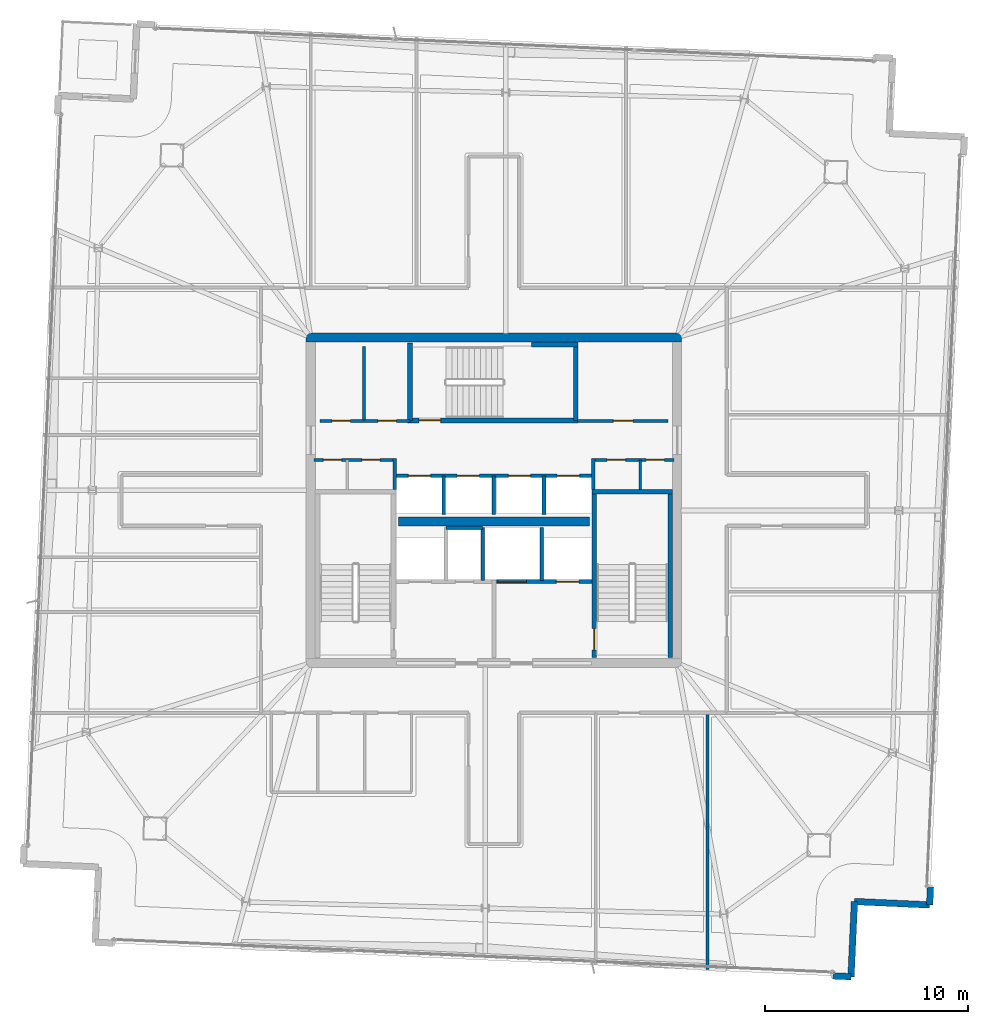
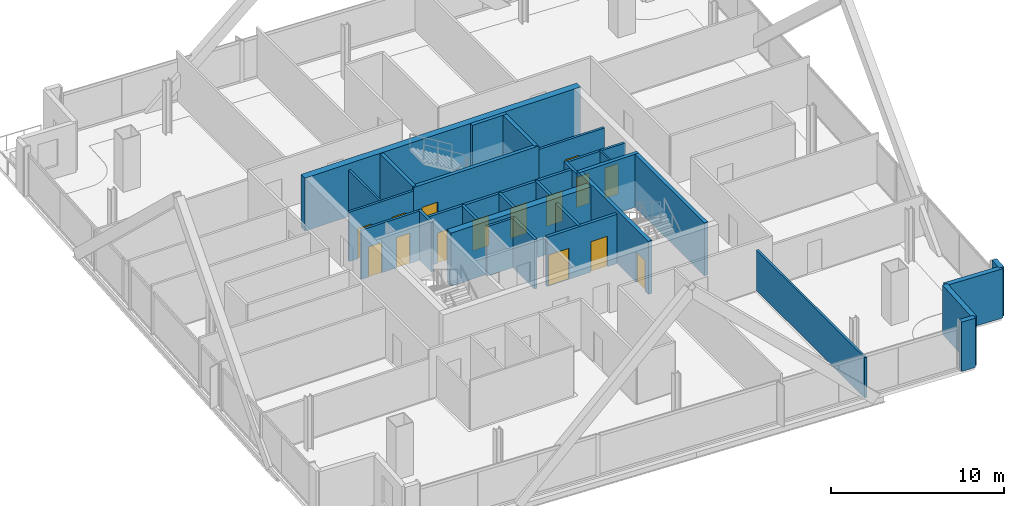
# One storey, part 21 of 26: 30 walls, 15 doors, 15 openings.
"""IFC4 building model written with IfcOpenShell, lengths in metres."""

from ifc_helpers import new_model, si_unit, direction, frame, frame_2d, origin, place, context, subcontext, project, spatial, rectangle, extrude, material, layer, layer_set, type_object, element, fill, save


model = new_model("IFC4")

# Units and contexts
model_context = context("Model", 3, precision=1e-05, world=origin(), true_north=direction((0.0, 1.0)))
body_context = subcontext(model_context, "Body", "Model", "MODEL_VIEW")
ifc_project = project(units=[si_unit("LENGTHUNIT", "METRE"), si_unit("AREAUNIT", "SQUARE_METRE"), si_unit("VOLUMEUNIT", "CUBIC_METRE"), si_unit("PLANEANGLEUNIT", "RADIAN"), si_unit("MASSUNIT", "GRAM", prefix="KILO")], contexts=[model_context])

# Site, building, storey
site_placement = place(None, origin())
site = spatial("IfcSite", under=ifc_project, at=site_placement, CompositionType="ELEMENT")
building_placement = place(site_placement, origin())
building = spatial("IfcBuilding", under=site, at=building_placement, Name="Haldenkirk Collegiate Tower", CompositionType="ELEMENT")
storey_placement = place(building_placement, frame((0.0, 0.0, 321.449951171875)))
storey = spatial("IfcBuildingStorey", under=building, at=storey_placement, Name="L81", CompositionType="ELEMENT", Elevation=321.449951171875)

# Walls
ifc_material_1 = material(Name="Concrete f'c 55 MPa", Category="concrete")
ifc_layer_1 = layer(ifc_material_1, 0.449951171875)
ifc_layer_set_1 = layer_set([ifc_layer_1], Name="Concrete f'c 55 MPa")
wall_type_1 = type_object("IfcWallType", Name="WL-CORE-450", PredefinedType="SHEAR", material=ifc_layer_set_1)
wall_1_placement = place(storey_placement, frame((26.77490234375, 34.0, 0.0), z_axis=(0.0, 0.0, 1.0), x_axis=(1.0, 0.0, 0.0)))
element("IfcWall", 1, at=wall_1_placement, inside=storey, type_object=wall_type_1, Name="L81 central core shear wall N", PredefinedType="SHEAR", context=body_context, shape_type="SweptSolid", body=[
    extrude(rectangle(XDim=18.4501953125, YDim=0.449951171875, at=frame_2d((9.22509765625, 0.0))), origin(), (0.0, 0.0, 1.0), 3.75),
])
wall_2_placement = place(storey_placement, frame((31.31005859375, 24.949951171875, 0.0), z_axis=(0.0, 0.0, 1.0), x_axis=(1.0, 0.0, 0.0)))
element("IfcWall", 2, at=wall_2_placement, inside=storey, type_object=wall_type_1, Name="L81 central core spine shear wall", PredefinedType="SHEAR", context=body_context, shape_type="SweptSolid", body=[
    extrude(rectangle(XDim=9.3798828125, YDim=0.449951171875, at=frame_2d((4.68994140625, 0.0))), origin(), (0.0, 0.0, 1.0), 3.75),
])
ifc_material_2 = material(Name="Precast concrete f'c 40 MPa", Category="concrete")
ifc_layer_2 = layer(ifc_material_2, 0.320068359375)
ifc_layer_set_2 = layer_set([ifc_layer_2], Name="Precast concrete f'c 40 MPa")
wall_type_2 = type_object("IfcWallType", Name="WL-EXT-TWR-320", PredefinedType="STANDARD", material=ifc_layer_set_2)
for number, where, z_axis, x_axis, name in (
    (3, (57.46044921875, 7.007080078125, 0.0), (0.0, 0.0, 1.0), (-0.04529692798, -0.998973567376, 0.0), "L81 precast corner pier SR"),
    (4, (53.5556640625, 2.57958984375, 0.0), (0.0, 0.0, 1.0), (-0.998973567376, 0.04529692798, 0.0), "L81 precast corner pier WL"),
):
    element("IfcWall", number, at=place(storey_placement, frame(where, z_axis=z_axis, x_axis=x_axis)), inside=storey, type_object=wall_type_2, Name=name, PredefinedType="STANDARD", context=body_context, shape_type="SweptSolid", body=[
        extrude(rectangle(XDim=0.900146484375, YDim=0.320068359375, at=frame_2d((0.4501953125, 0.0))), origin(), (0.0, 0.0, 1.0), 3.489990234375),
    ])
wall_3_placement = place(storey_placement, frame((53.723388671875, 6.275634765625, 0.0), z_axis=(0.0, 0.0, 1.0), x_axis=(-0.045332830566, -0.998971938781, 0.0)))
element("IfcWall", 5, at=wall_3_placement, inside=storey, type_object=wall_type_2, Name="L81 bronze precast notch wall 11", PredefinedType="STANDARD", context=body_context, shape_type="SweptSolid", body=[
    extrude(rectangle(XDim=3.699951171875, YDim=0.320068359375, at=frame_2d((1.85009765625, 0.0))), origin(), (0.0, 0.0, 1.0), 3.489990234375),
])
wall_4_placement = place(storey_placement, frame((57.419677734375, 6.10791015625, 0.0), z_axis=(0.0, 0.0, 1.0), x_axis=(-0.998972074375, 0.045329842477, 0.0)))
element("IfcWall", 6, at=wall_4_placement, inside=storey, type_object=wall_type_2, Name="L81 bronze precast notch wall 12", PredefinedType="STANDARD", context=body_context, shape_type="SweptSolid", body=[
    extrude(rectangle(XDim=3.7001953125, YDim=0.320068359375, at=frame_2d((1.85009765625, 0.0))), origin(), (0.0, 0.0, 1.0), 3.489990234375),
])

# Wall, openings, doors
ifc_material_3 = material(Name="Acoustic fire-rated gypsum partition", Category="concrete")
ifc_layer_3 = layer(ifc_material_3, 0.159912109375)
ifc_layer_set_3 = layer_set([ifc_layer_3], Name="Acoustic fire-rated gypsum partition")
wall_type_3 = type_object("IfcWallType", Name="WL-INT-CORR-160", PredefinedType="PARTITIONING", material=ifc_layer_set_3)
wall_5_placement = place(storey_placement, frame((27.14990234375, 27.97998046875, 0.0), z_axis=(0.0, 0.0, 1.0), x_axis=(1.0, 0.0, 0.0)))
wall_5 = element("IfcWall", 7, at=wall_5_placement, inside=storey, type_object=wall_type_3, Name="L81 interior partition IW-L81-VCSW-N", PredefinedType="PARTITIONING", context=body_context, shape_type="SweptSolid", body=[
    extrude(rectangle(XDim=4.050048828125, YDim=0.159912109375, at=frame_2d((2.02490234375, 0.0))), origin(), (0.0, 0.0, 1.0), 3.489990234375),
])
opening_1_placement = place(wall_5_placement, frame((0.469970703125, 0.0, 0.0)))
opening_1 = element("IfcOpeningElement", 8, at=opening_1_placement, cuts=wall_5, Name="Opening D-11", PredefinedType="OPENING", context=body_context, shape_type="SweptSolid", body=[
    extrude(rectangle(XDim=0.89990234375, YDim=2.14990234375, at=frame_2d((0.449951171875, 1.074951171875))), frame((0.0, 0.08984375, 0.0), z_axis=(0.0, -1.0, 0.0), x_axis=(1.0, 0.0, 0.0)), (0.0, 0.0, 1.0), 0.179931640625),
])
opening_2_placement = place(wall_5_placement, frame((2.360107421875, 0.0, 0.0)))
opening_2 = element("IfcOpeningElement", 9, at=opening_2_placement, cuts=wall_5, Name="Opening D-11", PredefinedType="OPENING", context=body_context, shape_type="SweptSolid", body=[
    extrude(rectangle(XDim=0.89990234375, YDim=2.14990234375, at=frame_2d((0.449951171875, 1.074951171875))), frame((0.0, 0.08984375, 0.0), z_axis=(0.0, -1.0, 0.0), x_axis=(1.0, 0.0, 0.0)), (0.0, 0.0, 1.0), 0.179931640625),
])
ifc_material_4 = material(Name="Solid-core architectural oak fire door", Category="wood")
ifc_layer_4 = layer(ifc_material_4, 0.06005859375)
ifc_layer_set_4 = layer_set([ifc_layer_4], Name="Solid-core architectural oak fire door")
door_type_1 = type_object("IfcDoorType", Name="DR-INT-FD60-900", OperationType="NOTDEFINED", PredefinedType="DOOR", material=ifc_layer_set_4)
door_1_placement = place(opening_1_placement, origin())
door_1 = element("IfcDoor", 10, at=door_1_placement, inside=storey, type_object=door_type_1, Name="L81 core AV closet door", OperationType="SINGLE_SWING_LEFT", OverallHeight=2.14990234375, OverallWidth=0.89990234375, PredefinedType="DOOR", context=body_context, shape_type="SweptSolid", body=[
    extrude(rectangle(XDim=0.89990234375, YDim=2.14990234375, at=frame_2d((0.449951171875, 1.074951171875))), frame((0.0, 0.02490234375, 0.0), z_axis=(0.0, -1.0, 0.0), x_axis=(1.0, 0.0, 0.0)), (0.0, 0.0, 1.0), 0.050048828125),
])
fill(opening_1, door_1)
door_2_placement = place(opening_2_placement, origin())
door_2 = element("IfcDoor", 11, at=door_2_placement, inside=storey, type_object=door_type_1, Name="L81 core supply closet door", OperationType="SINGLE_SWING_RIGHT", OverallHeight=2.14990234375, OverallWidth=0.89990234375, PredefinedType="DOOR", context=body_context, shape_type="SweptSolid", body=[
    extrude(rectangle(XDim=0.89990234375, YDim=2.14990234375, at=frame_2d((0.449951171875, 1.074951171875))), frame((0.0, 0.02490234375, 0.0), z_axis=(0.0, -1.0, 0.0), x_axis=(1.0, 0.0, 0.0)), (0.0, 0.0, 1.0), 0.050048828125),
])
fill(opening_2, door_2)

# Wall
wall_6_placement = place(storey_placement, frame((31.1201171875, 26.5400390625, 0.0), z_axis=(0.0, 0.0, 1.0), x_axis=(0.0, 1.0, 0.0)))
element("IfcWall", 12, at=wall_6_placement, inside=storey, type_object=wall_type_3, Name="L81 interior partition IW-L81-VCSW-E", PredefinedType="PARTITIONING", context=body_context, shape_type="SweptSolid", body=[
    extrude(rectangle(XDim=1.510009765625, YDim=0.159912109375, at=frame_2d((0.7548828125, 0.0))), origin(), (0.0, 0.0, 1.0), 3.489990234375),
])

# Wall, openings, doors
wall_7_placement = place(storey_placement, frame((40.800048828125, 27.97998046875, 0.0), z_axis=(0.0, 0.0, 1.0), x_axis=(1.0, 0.0, 0.0)))
wall_7 = element("IfcWall", 13, at=wall_7_placement, inside=storey, type_object=wall_type_3, Name="L81 interior partition IW-L81-VCSE-N", PredefinedType="PARTITIONING", context=body_context, shape_type="SweptSolid", body=[
    extrude(rectangle(XDim=4.050048828125, YDim=0.159912109375, at=frame_2d((2.02490234375, 0.0))), origin(), (0.0, 0.0, 1.0), 3.489990234375),
])
opening_3_placement = place(wall_7_placement, frame((0.77001953125, 0.0, 0.0)))
opening_3 = element("IfcOpeningElement", 14, at=opening_3_placement, cuts=wall_7, Name="Opening D-11", PredefinedType="OPENING", context=body_context, shape_type="SweptSolid", body=[
    extrude(rectangle(XDim=0.89990234375, YDim=2.14990234375, at=frame_2d((0.449951171875, 1.074951171875))), frame((0.0, 0.08984375, 0.0), z_axis=(0.0, -1.0, 0.0), x_axis=(1.0, 0.0, 0.0)), (0.0, 0.0, 1.0), 0.179931640625),
])
opening_4_placement = place(wall_7_placement, frame((2.679931640625, 0.0, 0.0)))
opening_4 = element("IfcOpeningElement", 15, at=opening_4_placement, cuts=wall_7, Name="Opening D-11", PredefinedType="OPENING", context=body_context, shape_type="SweptSolid", body=[
    extrude(rectangle(XDim=0.89990234375, YDim=2.14990234375, at=frame_2d((0.449951171875, 1.074951171875))), frame((0.0, 0.08984375, 0.0), z_axis=(0.0, -1.0, 0.0), x_axis=(1.0, 0.0, 0.0)), (0.0, 0.0, 1.0), 0.179931640625),
])
door_3_placement = place(opening_3_placement, origin())
door_3 = element("IfcDoor", 16, at=door_3_placement, inside=storey, type_object=door_type_1, Name="L81 core archive door", OperationType="SINGLE_SWING_LEFT", OverallHeight=2.14990234375, OverallWidth=0.89990234375, PredefinedType="DOOR", context=body_context, shape_type="SweptSolid", body=[
    extrude(rectangle(XDim=0.89990234375, YDim=2.14990234375, at=frame_2d((0.449951171875, 1.074951171875))), frame((0.0, 0.02490234375, 0.0), z_axis=(0.0, -1.0, 0.0), x_axis=(1.0, 0.0, 0.0)), (0.0, 0.0, 1.0), 0.050048828125),
])
fill(opening_3, door_3)
door_4_placement = place(opening_4_placement, origin())
door_4 = element("IfcDoor", 17, at=door_4_placement, inside=storey, type_object=door_type_1, Name="L81 core telecom door", OperationType="SINGLE_SWING_RIGHT", OverallHeight=2.14990234375, OverallWidth=0.89990234375, PredefinedType="DOOR", context=body_context, shape_type="SweptSolid", body=[
    extrude(rectangle(XDim=0.89990234375, YDim=2.14990234375, at=frame_2d((0.449951171875, 1.074951171875))), frame((0.0, 0.02490234375, 0.0), z_axis=(0.0, -1.0, 0.0), x_axis=(1.0, 0.0, 0.0)), (0.0, 0.0, 1.0), 0.050048828125),
])
fill(opening_4, door_4)

# Wall
wall_8_placement = place(storey_placement, frame((40.8798828125, 26.5400390625, 0.0), z_axis=(0.0, 0.0, 1.0), x_axis=(0.0, 1.0, 0.0)))
element("IfcWall", 18, at=wall_8_placement, inside=storey, type_object=wall_type_3, Name="L81 interior partition IW-L81-VCSE-W", PredefinedType="PARTITIONING", context=body_context, shape_type="SweptSolid", body=[
    extrude(rectangle(XDim=1.510009765625, YDim=0.159912109375, at=frame_2d((0.7548828125, 0.0))), origin(), (0.0, 0.0, 1.0), 3.489990234375),
])

# Wall, openings, doors
wall_9_placement = place(storey_placement, frame((27.449951171875, 29.89990234375, 0.0), z_axis=(0.0, 0.0, 1.0), x_axis=(1.0, 0.0, 0.0)))
wall_9 = element("IfcWall", 19, at=wall_9_placement, inside=storey, type_object=wall_type_3, Name="L81 interior partition IW-L81-PLS", PredefinedType="PARTITIONING", context=body_context, shape_type="SweptSolid", body=[
    extrude(rectangle(XDim=4.429931640625, YDim=0.159912109375, at=frame_2d((2.21484375, 0.0))), origin(), (0.0, 0.0, 1.0), 3.489990234375),
])
opening_5_placement = place(wall_9_placement, frame((0.60009765625, 0.0, 0.0)))
opening_5 = element("IfcOpeningElement", 20, at=opening_5_placement, cuts=wall_9, Name="Opening D-11", PredefinedType="OPENING", context=body_context, shape_type="SweptSolid", body=[
    extrude(rectangle(XDim=0.89990234375, YDim=2.14990234375, at=frame_2d((0.449951171875, 1.074951171875))), frame((0.0, 0.08984375, 0.0), z_axis=(0.0, -1.0, 0.0), x_axis=(1.0, 0.0, 0.0)), (0.0, 0.0, 1.0), 0.179931640625),
])
opening_6_placement = place(wall_9_placement, frame((2.85009765625, 0.0, 0.0)))
opening_6 = element("IfcOpeningElement", 21, at=opening_6_placement, cuts=wall_9, Name="Opening D-11", PredefinedType="OPENING", context=body_context, shape_type="SweptSolid", body=[
    extrude(rectangle(XDim=0.89990234375, YDim=2.14990234375, at=frame_2d((0.449951171875, 1.074951171875))), frame((0.0, 0.08984375, 0.0), z_axis=(0.0, -1.0, 0.0), x_axis=(1.0, 0.0, 0.0)), (0.0, 0.0, 1.0), 0.179931640625),
])
door_5_placement = place(opening_5_placement, origin())
door_5 = element("IfcDoor", 22, at=door_5_placement, inside=storey, type_object=door_type_1, Name="L81 tea kitchen door", OperationType="SINGLE_SWING_LEFT", OverallHeight=2.14990234375, OverallWidth=0.89990234375, PredefinedType="DOOR", context=body_context, shape_type="SweptSolid", body=[
    extrude(rectangle(XDim=0.89990234375, YDim=2.14990234375, at=frame_2d((0.449951171875, 1.074951171875))), frame((0.0, 0.02490234375, 0.0), z_axis=(0.0, -1.0, 0.0), x_axis=(1.0, 0.0, 0.0)), (0.0, 0.0, 1.0), 0.050048828125),
])
fill(opening_5, door_5)
door_6_placement = place(opening_6_placement, origin())
door_6 = element("IfcDoor", 23, at=door_6_placement, inside=storey, type_object=door_type_1, Name="L81 IT room door", OperationType="SINGLE_SWING_RIGHT", OverallHeight=2.14990234375, OverallWidth=0.89990234375, PredefinedType="DOOR", context=body_context, shape_type="SweptSolid", body=[
    extrude(rectangle(XDim=0.89990234375, YDim=2.14990234375, at=frame_2d((0.449951171875, 1.074951171875))), frame((0.0, 0.02490234375, 0.0), z_axis=(0.0, -1.0, 0.0), x_axis=(1.0, 0.0, 0.0)), (0.0, 0.0, 1.0), 0.050048828125),
])
fill(opening_6, door_6)

# Wall, opening, door
wall_10_placement = place(storey_placement, frame((40.1201171875, 29.89990234375, 0.0), z_axis=(0.0, 0.0, 1.0), x_axis=(1.0, 0.0, 0.0)))
wall_10 = element("IfcWall", 24, at=wall_10_placement, inside=storey, type_object=wall_type_3, Name="L81 interior partition IW-L81-PMS", PredefinedType="PARTITIONING", context=body_context, shape_type="SweptSolid", body=[
    extrude(rectangle(XDim=4.429931640625, YDim=0.159912109375, at=frame_2d((2.21484375, 0.0))), origin(), (0.0, 0.0, 1.0), 3.489990234375),
])
opening_7_placement = place(wall_10_placement, frame((1.7548828125, 0.0, 0.0)))
opening_7 = element("IfcOpeningElement", 25, at=opening_7_placement, cuts=wall_10, Name="Opening D-10", PredefinedType="OPENING", context=body_context, shape_type="SweptSolid", body=[
    extrude(rectangle(XDim=0.949951171875, YDim=2.14990234375, at=frame_2d((0.47509765625, 1.074951171875))), frame((0.0, 0.08984375, 0.0), z_axis=(0.0, -1.0, 0.0), x_axis=(1.0, 0.0, 0.0)), (0.0, 0.0, 1.0), 0.179931640625),
])
ifc_layer_5 = layer(ifc_material_4, 0.06005859375)
ifc_layer_set_5 = layer_set([ifc_layer_5], Name="Solid-core architectural oak fire door")
door_type_2 = type_object("IfcDoorType", Name="DR-INT-FD60-950", OperationType="NOTDEFINED", PredefinedType="DOOR", material=ifc_layer_set_5)
door_7_placement = place(opening_7_placement, origin())
door_7 = element("IfcDoor", 26, at=door_7_placement, inside=storey, type_object=door_type_2, Name="L81 reference archive door", OperationType="SINGLE_SWING_LEFT", OverallHeight=2.14990234375, OverallWidth=0.949951171875, PredefinedType="DOOR", context=body_context, shape_type="SweptSolid", body=[
    extrude(rectangle(XDim=0.949951171875, YDim=2.14990234375, at=frame_2d((0.47509765625, 1.074951171875))), frame((0.0, 0.02490234375, 0.0), z_axis=(0.0, -1.0, 0.0), x_axis=(1.0, 0.0, 0.0)), (0.0, 0.0, 1.0), 0.050048828125),
])
fill(opening_7, door_7)

# Walls
ifc_layer_6 = layer(ifc_material_3, 0.139892578125)
ifc_layer_set_6 = layer_set([ifc_layer_6], Name="Acoustic fire-rated gypsum partition")
wall_type_4 = type_object("IfcWallType", Name="WL-INT-DIV-140", PredefinedType="PARTITIONING", material=ifc_layer_set_6)
wall_11_placement = place(storey_placement, frame((29.6201171875, 29.949951171875, 0.0), z_axis=(0.0, 0.0, 1.0), x_axis=(0.0, 1.0, 0.0)))
element("IfcWall", 27, at=wall_11_placement, inside=storey, type_object=wall_type_4, Name="L81 interior partition IW-L81-PLDIV", PredefinedType="PARTITIONING", context=body_context, shape_type="SweptSolid", body=[
    extrude(rectangle(XDim=3.60009765625, YDim=0.139892578125, at=frame_2d((1.800048828125, 0.0))), origin(), (0.0, 0.0, 1.0), 3.489990234375),
])
wall_12_placement = place(storey_placement, frame((46.5, 2.93994140625, 0.0), z_axis=(0.0, 0.0, 1.0), x_axis=(0.0, 1.0, 0.0)))
element("IfcWall", 28, at=wall_12_placement, inside=storey, type_object=wall_type_4, Name="L81 interior partition IW-L81-RS2", PredefinedType="PARTITIONING", context=body_context, shape_type="SweptSolid", body=[
    extrude(rectangle(XDim=12.610107421875, YDim=0.139892578125, at=frame_2d((6.30517578125, 0.0))), origin(), (0.0, 0.0, 1.0), 2.8681640625),
])
ifc_material_5 = material(Name="Fire-rated gypsum shaftboard assembly", Category="concrete")
ifc_layer_7 = layer(ifc_material_5, 0.179931640625)
ifc_layer_set_7 = layer_set([ifc_layer_7], Name="Fire-rated gypsum shaftboard assembly")
wall_type_5 = type_object("IfcWallType", Name="WL-INT-SHAFT-180", PredefinedType="PARTITIONING", material=ifc_layer_set_7)
wall_13_placement = place(storey_placement, frame((35.449951171875, 22.050048828125, 0.0), z_axis=(0.0, 0.0, 1.0), x_axis=(0.0, 1.0, 0.0)))
element("IfcWall", 29, at=wall_13_placement, inside=storey, type_object=wall_type_5, Name="L81 interior partition IW-L81-GL1W", PredefinedType="PARTITIONING", context=body_context, shape_type="SweptSolid", body=[
    extrude(rectangle(XDim=2.599853515625, YDim=0.179931640625, at=frame_2d((1.2998046875, 0.0))), origin(), (0.0, 0.0, 1.0), 3.489990234375),
])
wall_14_placement = place(storey_placement, frame((33.64990234375, 24.64990234375, 0.0), z_axis=(0.0, 0.0, 1.0), x_axis=(1.0, 0.0, 0.0)))
element("IfcWall", 30, at=wall_14_placement, inside=storey, type_object=wall_type_5, Name="L81 interior partition IW-L81-RSRN", PredefinedType="PARTITIONING", context=body_context, shape_type="SweptSolid", body=[
    extrude(rectangle(XDim=1.800048828125, YDim=0.179931640625, at=frame_2d((0.89990234375, 0.0))), origin(), (0.0, 0.0, 1.0), 3.489990234375),
])
wall_15_placement = place(storey_placement, frame((38.35009765625, 22.050048828125, 0.0), z_axis=(0.0, 0.0, 1.0), x_axis=(0.0, 1.0, 0.0)))
element("IfcWall", 31, at=wall_15_placement, inside=storey, type_object=wall_type_5, Name="L81 interior partition IW-L81-GL1E", PredefinedType="PARTITIONING", context=body_context, shape_type="SweptSolid", body=[
    extrude(rectangle(XDim=2.599853515625, YDim=0.179931640625, at=frame_2d((1.2998046875, 0.0))), origin(), (0.0, 0.0, 1.0), 3.489990234375),
])

# Wall, openings, doors
wall_16_placement = place(storey_placement, frame((31.199951171875, 27.199951171875, 0.0), z_axis=(0.0, 0.0, 1.0), x_axis=(1.0, 0.0, 0.0)))
wall_16 = element("IfcWall", 32, at=wall_16_placement, inside=storey, type_object=wall_type_5, Name="L81 interior partition IW-L81-PHN", PredefinedType="PARTITIONING", context=body_context, shape_type="SweptSolid", body=[
    extrude(rectangle(XDim=9.60009765625, YDim=0.179931640625, at=frame_2d((4.800048828125, 0.0))), origin(), (0.0, 0.0, 1.0), 3.489990234375),
])
opening_8_placement = place(wall_16_placement, frame((0.590087890625, 0.0, 0.0)))
opening_8 = element("IfcOpeningElement", 33, at=opening_8_placement, cuts=wall_16, Name="Opening LD-11", PredefinedType="OPENING", context=body_context, shape_type="SweptSolid", body=[
    extrude(rectangle(XDim=1.10009765625, YDim=2.14990234375, at=frame_2d((0.550048828125, 1.074951171875))), frame((0.0, 0.099853515625, 0.0), z_axis=(0.0, -1.0, 0.0), x_axis=(1.0, 0.0, 0.0)), (0.0, 0.0, 1.0), 0.199951171875),
])
opening_9_placement = place(wall_16_placement, frame((2.989990234375, 0.0, 0.0)))
opening_9 = element("IfcOpeningElement", 34, at=opening_9_placement, cuts=wall_16, Name="Opening LD-11", PredefinedType="OPENING", context=body_context, shape_type="SweptSolid", body=[
    extrude(rectangle(XDim=1.10009765625, YDim=2.14990234375, at=frame_2d((0.550048828125, 1.074951171875))), frame((0.0, 0.099853515625, 0.0), z_axis=(0.0, -1.0, 0.0), x_axis=(1.0, 0.0, 0.0)), (0.0, 0.0, 1.0), 0.199951171875),
])
opening_10_placement = place(wall_16_placement, frame((5.510009765625, 0.0, 0.0)))
opening_10 = element("IfcOpeningElement", 35, at=opening_10_placement, cuts=wall_16, Name="Opening LD-11", PredefinedType="OPENING", context=body_context, shape_type="SweptSolid", body=[
    extrude(rectangle(XDim=1.10009765625, YDim=2.14990234375, at=frame_2d((0.550048828125, 1.074951171875))), frame((0.0, 0.099853515625, 0.0), z_axis=(0.0, -1.0, 0.0), x_axis=(1.0, 0.0, 0.0)), (0.0, 0.0, 1.0), 0.199951171875),
])
opening_11_placement = place(wall_16_placement, frame((7.909912109375, 0.0, 0.0)))
opening_11 = element("IfcOpeningElement", 36, at=opening_11_placement, cuts=wall_16, Name="Opening LD-11", PredefinedType="OPENING", context=body_context, shape_type="SweptSolid", body=[
    extrude(rectangle(XDim=1.10009765625, YDim=2.14990234375, at=frame_2d((0.550048828125, 1.074951171875))), frame((0.0, 0.099853515625, 0.0), z_axis=(0.0, -1.0, 0.0), x_axis=(1.0, 0.0, 0.0)), (0.0, 0.0, 1.0), 0.199951171875),
])
ifc_material_6 = material(Name="Brushed architectural stainless steel", Category="steel")
ifc_layer_8 = layer(ifc_material_6, 0.06005859375)
ifc_layer_set_8 = layer_set([ifc_layer_8], Name="Brushed architectural stainless steel")
door_type_3 = type_object("IfcDoorType", Name="LD-PASS-1100", OperationType="NOTDEFINED", PredefinedType="DOOR", material=ifc_layer_set_8)
door_8_placement = place(opening_8_placement, origin())
door_8 = element("IfcDoor", 37, at=door_8_placement, inside=storey, type_object=door_type_3, Name="L81 Elevator PH1 sliding landing door", OperationType="SLIDING_TO_LEFT", OverallHeight=2.14990234375, OverallWidth=1.10009765625, PredefinedType="DOOR", context=body_context, shape_type="SweptSolid", body=[
    extrude(rectangle(XDim=1.10009765625, YDim=2.14990234375, at=frame_2d((0.550048828125, 1.074951171875))), frame((0.0, 0.02490234375, 0.0), z_axis=(0.0, -1.0, 0.0), x_axis=(1.0, 0.0, 0.0)), (0.0, 0.0, 1.0), 0.050048828125),
])
fill(opening_8, door_8)
door_9_placement = place(opening_9_placement, origin())
door_9 = element("IfcDoor", 38, at=door_9_placement, inside=storey, type_object=door_type_3, Name="L81 Elevator PH2 sliding landing door", OperationType="SLIDING_TO_LEFT", OverallHeight=2.14990234375, OverallWidth=1.10009765625, PredefinedType="DOOR", context=body_context, shape_type="SweptSolid", body=[
    extrude(rectangle(XDim=1.10009765625, YDim=2.14990234375, at=frame_2d((0.550048828125, 1.074951171875))), frame((0.0, 0.02490234375, 0.0), z_axis=(0.0, -1.0, 0.0), x_axis=(1.0, 0.0, 0.0)), (0.0, 0.0, 1.0), 0.050048828125),
])
fill(opening_9, door_9)
door_10_placement = place(opening_10_placement, origin())
door_10 = element("IfcDoor", 39, at=door_10_placement, inside=storey, type_object=door_type_3, Name="L81 Elevator PH3 sliding landing door", OperationType="SLIDING_TO_LEFT", OverallHeight=2.14990234375, OverallWidth=1.10009765625, PredefinedType="DOOR", context=body_context, shape_type="SweptSolid", body=[
    extrude(rectangle(XDim=1.10009765625, YDim=2.14990234375, at=frame_2d((0.550048828125, 1.074951171875))), frame((0.0, 0.02490234375, 0.0), z_axis=(0.0, -1.0, 0.0), x_axis=(1.0, 0.0, 0.0)), (0.0, 0.0, 1.0), 0.050048828125),
])
fill(opening_10, door_10)
door_11_placement = place(opening_11_placement, origin())
door_11 = element("IfcDoor", 40, at=door_11_placement, inside=storey, type_object=door_type_3, Name="L81 Elevator PH4 sliding landing door", OperationType="SLIDING_TO_LEFT", OverallHeight=2.14990234375, OverallWidth=1.10009765625, PredefinedType="DOOR", context=body_context, shape_type="SweptSolid", body=[
    extrude(rectangle(XDim=1.10009765625, YDim=2.14990234375, at=frame_2d((0.550048828125, 1.074951171875))), frame((0.0, 0.02490234375, 0.0), z_axis=(0.0, -1.0, 0.0), x_axis=(1.0, 0.0, 0.0)), (0.0, 0.0, 1.0), 0.050048828125),
])
fill(opening_11, door_11)

# Walls
for number, where, z_axis, x_axis, name in (
    (41, (33.5400390625, 25.300048828125, 0.0), (0.0, 0.0, 1.0), (0.0, 1.0, 0.0), "L81 interior partition IW-L81-PHV1"),
    (42, (36.0, 25.300048828125, 0.0), (0.0, 0.0, 1.0), (0.0, 1.0, 0.0), "L81 interior partition IW-L81-PHV2"),
    (43, (38.4599609375, 25.300048828125, 0.0), (0.0, 0.0, 1.0), (0.0, 1.0, 0.0), "L81 interior partition IW-L81-PHV3"),
):
    element("IfcWall", number, at=place(storey_placement, frame(where, z_axis=z_axis, x_axis=x_axis)), inside=storey, type_object=wall_type_5, Name=name, PredefinedType="PARTITIONING", context=body_context, shape_type="SweptSolid", body=[
        extrude(rectangle(XDim=1.89990234375, YDim=0.179931640625, at=frame_2d((0.949951171875, 0.0))), origin(), (0.0, 0.0, 1.0), 3.489990234375),
    ])

# Wall, openings, doors
ifc_layer_9 = layer(ifc_material_5, 0.199951171875)
ifc_layer_set_9 = layer_set([ifc_layer_9], Name="Fire-rated gypsum shaftboard assembly")
wall_type_6 = type_object("IfcWallType", Name="WL-INT-SHAFT-200", PredefinedType="PARTITIONING", material=ifc_layer_set_9)
wall_17_placement = place(storey_placement, frame((36.1201171875, 22.0, 0.0), z_axis=(0.0, 0.0, 1.0), x_axis=(1.0, 0.0, 0.0)))
wall_17 = element("IfcWall", 44, at=wall_17_placement, inside=storey, type_object=wall_type_6, Name="L81 interior partition IW-L81-FFL2N", PredefinedType="PARTITIONING", context=body_context, shape_type="SweptSolid", body=[
    extrude(rectangle(XDim=4.68994140625, YDim=0.199951171875, at=frame_2d((2.344970703125, 0.0))), origin(), (0.0, 0.0, 1.0), 3.489990234375),
])
opening_12_placement = place(wall_17_placement, frame((2.955078125, 0.0, 0.0)))
opening_12 = element("IfcOpeningElement", 45, at=opening_12_placement, cuts=wall_17, Name="Opening LD-12", PredefinedType="OPENING", context=body_context, shape_type="SweptSolid", body=[
    extrude(rectangle(XDim=1.10009765625, YDim=2.14990234375, at=frame_2d((0.550048828125, 1.074951171875))), frame((0.0, 0.10986328125, 0.0), z_axis=(0.0, -1.0, 0.0), x_axis=(1.0, 0.0, 0.0)), (0.0, 0.0, 1.0), 0.219970703125),
])
opening_13_placement = place(wall_17_placement, frame((0.080078125, 0.0, 0.0)))
opening_13 = element("IfcOpeningElement", 46, at=opening_13_placement, cuts=wall_17, Name="Opening LD-13", PredefinedType="OPENING", context=body_context, shape_type="SweptSolid", body=[
    extrude(rectangle(XDim=1.39990234375, YDim=2.199951171875, at=frame_2d((0.699951171875, 1.10009765625))), frame((0.0, 0.10986328125, 0.0), z_axis=(0.0, -1.0, 0.0), x_axis=(1.0, 0.0, 0.0)), (0.0, 0.0, 1.0), 0.219970703125),
])
ifc_layer_10 = layer(ifc_material_6, 0.06005859375)
ifc_layer_set_10 = layer_set([ifc_layer_10], Name="Brushed architectural stainless steel")
door_type_4 = type_object("IfcDoorType", Name="LD-FIRE-1100", OperationType="NOTDEFINED", PredefinedType="DOOR", material=ifc_layer_set_10)
door_12_placement = place(opening_12_placement, origin())
door_12 = element("IfcDoor", 47, at=door_12_placement, inside=storey, type_object=door_type_4, Name="L81 Elevator FL2 sliding landing door", OperationType="SLIDING_TO_LEFT", OverallHeight=2.14990234375, OverallWidth=1.10009765625, PredefinedType="DOOR", context=body_context, shape_type="SweptSolid", body=[
    extrude(rectangle(XDim=1.10009765625, YDim=2.14990234375, at=frame_2d((0.550048828125, 1.074951171875))), frame((0.0, 0.02490234375, 0.0), z_axis=(0.0, -1.0, 0.0), x_axis=(1.0, 0.0, 0.0)), (0.0, 0.0, 1.0), 0.050048828125),
])
fill(opening_12, door_12)
ifc_layer_11 = layer(ifc_material_6, 0.06005859375)
ifc_layer_set_11 = layer_set([ifc_layer_11], Name="Brushed architectural stainless steel")
door_type_5 = type_object("IfcDoorType", Name="LD-GOODS-1400", OperationType="NOTDEFINED", PredefinedType="DOOR", material=ifc_layer_set_11)
door_13_placement = place(opening_13_placement, origin())
door_13 = element("IfcDoor", 48, at=door_13_placement, inside=storey, type_object=door_type_5, Name="L81 Elevator GL1 sliding landing door", OperationType="SLIDING_TO_LEFT", OverallHeight=2.199951171875, OverallWidth=1.39990234375, PredefinedType="DOOR", context=body_context, shape_type="SweptSolid", body=[
    extrude(rectangle(XDim=1.39990234375, YDim=2.199951171875, at=frame_2d((0.699951171875, 1.10009765625))), frame((0.0, 0.02490234375, 0.0), z_axis=(0.0, -1.0, 0.0), x_axis=(1.0, 0.0, 0.0)), (0.0, 0.0, 1.0), 0.050048828125),
])
fill(opening_13, door_13)

# Wall
ifc_layer_12 = layer(ifc_material_3, 0.1201171875)
ifc_layer_set_12 = layer_set([ifc_layer_12], Name="Acoustic fire-rated gypsum partition")
wall_type_7 = type_object("IfcWallType", Name="WL-INT-WET-120", PredefinedType="PARTITIONING", material=ifc_layer_set_12)
wall_18_placement = place(storey_placement, frame((43.199951171875, 26.5400390625, 0.0), z_axis=(0.0, 0.0, 1.0), x_axis=(0.0, 1.0, 0.0)))
element("IfcWall", 49, at=wall_18_placement, inside=storey, type_object=wall_type_7, Name="L81 interior partition IW-L81-VCSE-M", PredefinedType="PARTITIONING", context=body_context, shape_type="SweptSolid", body=[
    extrude(rectangle(XDim=1.43994140625, YDim=0.1201171875, at=frame_2d((0.719970703125, 0.0))), origin(), (0.0, 0.0, 1.0), 3.489990234375),
])

# Wall, opening, door
ifc_layer_13 = layer(ifc_material_1, 0.239990234375)
ifc_layer_set_13 = layer_set([ifc_layer_13], Name="Concrete f'c 55 MPa")
wall_type_8 = type_object("IfcWallType", Name="WL-SHAFT-240", PredefinedType="SHEAR", material=ifc_layer_set_13)
wall_19_placement = place(storey_placement, frame((40.929931640625, 18.280029296875, 0.0), z_axis=(0.0, 0.0, 1.0), x_axis=(0.0, 1.0, 0.0)))
wall_19 = element("IfcWall", 50, at=wall_19_placement, inside=storey, type_object=wall_type_8, Name="L81 stair shaft shear wall SW-L81-ST2W", PredefinedType="SHEAR", context=body_context, shape_type="SweptSolid", body=[
    extrude(rectangle(XDim=8.260009765625, YDim=0.239990234375, at=frame_2d((4.1298828125, 0.0))), origin(), (0.0, 0.0, 1.0), 3.75),
])
opening_14_placement = place(wall_19_placement, frame((0.364990234375, 0.0, 0.0)))
opening_14 = element("IfcOpeningElement", 51, at=opening_14_placement, cuts=wall_19, Name="Opening D-01", PredefinedType="OPENING", context=body_context, shape_type="SweptSolid", body=[
    extrude(rectangle(XDim=1.050048828125, YDim=2.14990234375, at=frame_2d((0.52490234375, 1.074951171875))), frame((0.0, 0.1298828125, 0.0), z_axis=(0.0, -1.0, 0.0), x_axis=(1.0, 0.0, 0.0)), (0.0, 0.0, 1.0), 0.260009765625),
])
ifc_material_7 = material(Name="Galvanized fire-rated hollow steel door", Category="steel")
ifc_layer_14 = layer(ifc_material_7, 0.06005859375)
ifc_layer_set_14 = layer_set([ifc_layer_14], Name="Galvanized fire-rated hollow steel door")
door_type_6 = type_object("IfcDoorType", Name="DR-STAIR-FD90-1050", OperationType="NOTDEFINED", PredefinedType="DOOR", material=ifc_layer_set_14)
door_14_placement = place(opening_14_placement, origin())
door_14 = element("IfcDoor", 52, at=door_14_placement, inside=storey, type_object=door_type_6, Name="L81 Stair 2 door", OperationType="SINGLE_SWING_RIGHT", OverallHeight=2.14990234375, OverallWidth=1.050048828125, PredefinedType="DOOR", context=body_context, shape_type="SweptSolid", body=[
    extrude(rectangle(XDim=1.050048828125, YDim=2.14990234375, at=frame_2d((0.52490234375, 1.074951171875))), frame((0.0, 0.02490234375, 0.0), z_axis=(0.0, -1.0, 0.0), x_axis=(1.0, 0.0, 0.0)), (0.0, 0.0, 1.0), 0.050048828125),
])
fill(opening_14, door_14)

# Walls
wall_20_placement = place(storey_placement, frame((40.81005859375, 26.419921875, 0.0), z_axis=(0.0, 0.0, 1.0), x_axis=(1.0, 0.0, 0.0)))
element("IfcWall", 53, at=wall_20_placement, inside=storey, type_object=wall_type_8, Name="L81 stair shaft shear wall SW-L81-ST2N", PredefinedType="SHEAR", context=body_context, shape_type="SweptSolid", body=[
    extrude(rectangle(XDim=3.97998046875, YDim=0.239990234375, at=frame_2d((1.989990234375, 0.0))), origin(), (0.0, 0.0, 1.0), 3.75),
])
wall_21_placement = place(storey_placement, frame((44.669921875, 18.280029296875, 0.0), z_axis=(0.0, 0.0, 1.0), x_axis=(0.0, 1.0, 0.0)))
element("IfcWall", 54, at=wall_21_placement, inside=storey, type_object=wall_type_8, Name="L81 stair shaft shear wall SW-L81-ST2E", PredefinedType="SHEAR", context=body_context, shape_type="SweptSolid", body=[
    extrude(rectangle(XDim=8.260009765625, YDim=0.239990234375, at=frame_2d((4.1298828125, 0.0))), origin(), (0.0, 0.0, 1.0), 3.75),
])

# Wall, opening, door
wall_22_placement = place(storey_placement, frame((31.760009765625, 29.929931640625, 0.0), z_axis=(0.0, 0.0, 1.0), x_axis=(1.0, 0.0, 0.0)))
wall_22 = element("IfcWall", 55, at=wall_22_placement, inside=storey, type_object=wall_type_8, Name="L81 stair shaft shear wall SW-L81-ST3S", PredefinedType="SHEAR", context=body_context, shape_type="SweptSolid", body=[
    extrude(rectangle(XDim=8.3798828125, YDim=0.239990234375, at=frame_2d((4.18994140625, 0.0))), origin(), (0.0, 0.0, 1.0), 3.75),
])
opening_15_placement = place(wall_22_placement, frame((0.56494140625, 0.0, 0.0)))
opening_15 = element("IfcOpeningElement", 56, at=opening_15_placement, cuts=wall_22, Name="Opening D-01", PredefinedType="OPENING", context=body_context, shape_type="SweptSolid", body=[
    extrude(rectangle(XDim=1.050048828125, YDim=2.14990234375, at=frame_2d((0.52490234375, 1.074951171875))), frame((0.0, 0.1298828125, 0.0), z_axis=(0.0, -1.0, 0.0), x_axis=(1.0, 0.0, 0.0)), (0.0, 0.0, 1.0), 0.260009765625),
])
door_15_placement = place(opening_15_placement, origin())
door_15 = element("IfcDoor", 57, at=door_15_placement, inside=storey, type_object=door_type_6, Name="L81 lift lobby Stair 3 door", OperationType="SINGLE_SWING_RIGHT", OverallHeight=2.14990234375, OverallWidth=1.050048828125, PredefinedType="DOOR", context=body_context, shape_type="SweptSolid", body=[
    extrude(rectangle(XDim=1.050048828125, YDim=2.14990234375, at=frame_2d((0.52490234375, 1.074951171875))), frame((0.0, 0.02490234375, 0.0), z_axis=(0.0, -1.0, 0.0), x_axis=(1.0, 0.0, 0.0)), (0.0, 0.0, 1.0), 0.050048828125),
])
fill(opening_15, door_15)

# Walls
wall_23_placement = place(storey_placement, frame((31.8798828125, 29.929931640625, 0.0), z_axis=(0.0, 0.0, 1.0), x_axis=(0.0, 1.0, 0.0)))
element("IfcWall", 58, at=wall_23_placement, inside=storey, type_object=wall_type_8, Name="L81 stair shaft shear wall SW-L81-ST3W", PredefinedType="SHEAR", context=body_context, shape_type="SweptSolid", body=[
    extrude(rectangle(XDim=3.7900390625, YDim=0.239990234375, at=frame_2d((1.89501953125, 0.0))), origin(), (0.0, 0.0, 1.0), 3.75),
])
wall_24_placement = place(storey_placement, frame((40.02001953125, 29.929931640625, 0.0), z_axis=(0.0, 0.0, 1.0), x_axis=(0.0, 1.0, 0.0)))
element("IfcWall", 59, at=wall_24_placement, inside=storey, type_object=wall_type_8, Name="L81 stair shaft shear wall SW-L81-ST3E", PredefinedType="SHEAR", context=body_context, shape_type="SweptSolid", body=[
    extrude(rectangle(XDim=3.85009765625, YDim=0.239990234375, at=frame_2d((1.925048828125, 0.0))), origin(), (0.0, 0.0, 1.0), 3.75),
])
wall_25_placement = place(storey_placement, frame((37.85009765625, 33.659912109375, 0.0), z_axis=(0.0, 0.0, 1.0), x_axis=(1.0, 0.0, 0.0)))
element("IfcWall", 60, at=wall_25_placement, inside=storey, type_object=wall_type_8, Name="L81 stair shaft shear wall SW-L81-ST3N", PredefinedType="SHEAR", context=body_context, shape_type="SweptSolid", body=[
    extrude(rectangle(XDim=2.289794921875, YDim=0.239990234375, at=frame_2d((1.14501953125, 0.0))), origin(), (0.0, 0.0, 1.0), 3.75),
])

save(model, "model.ifc")
